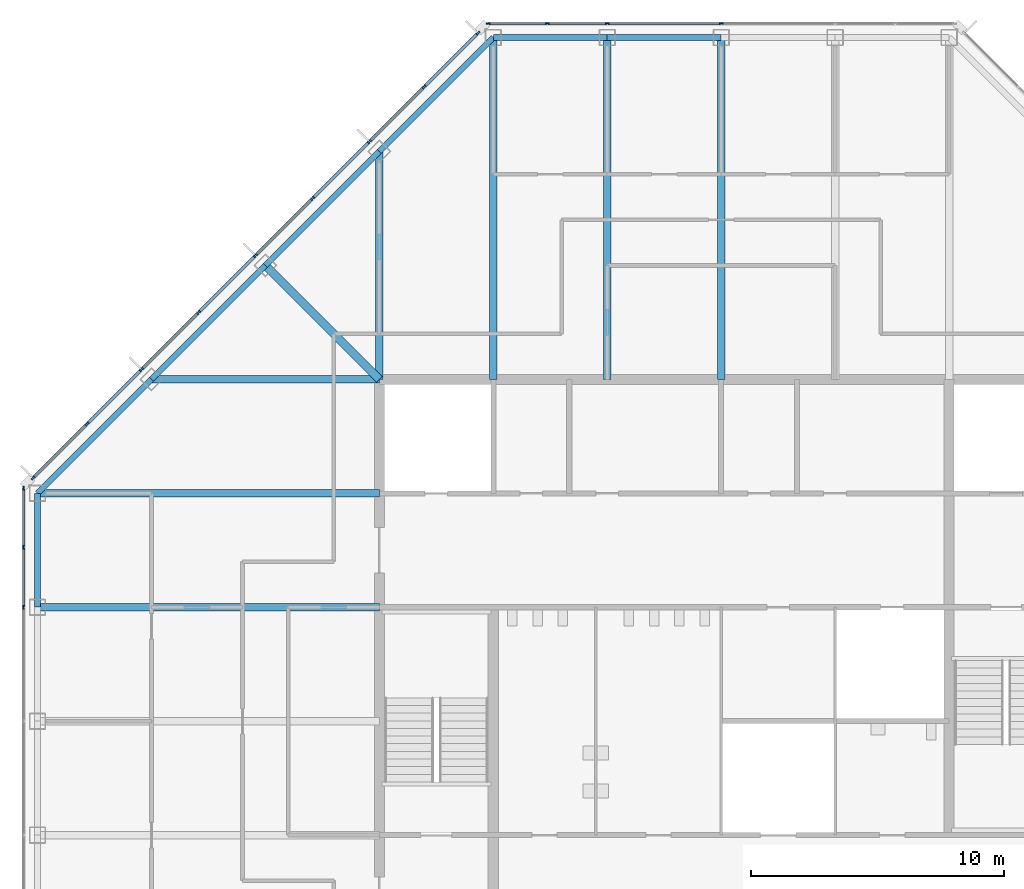
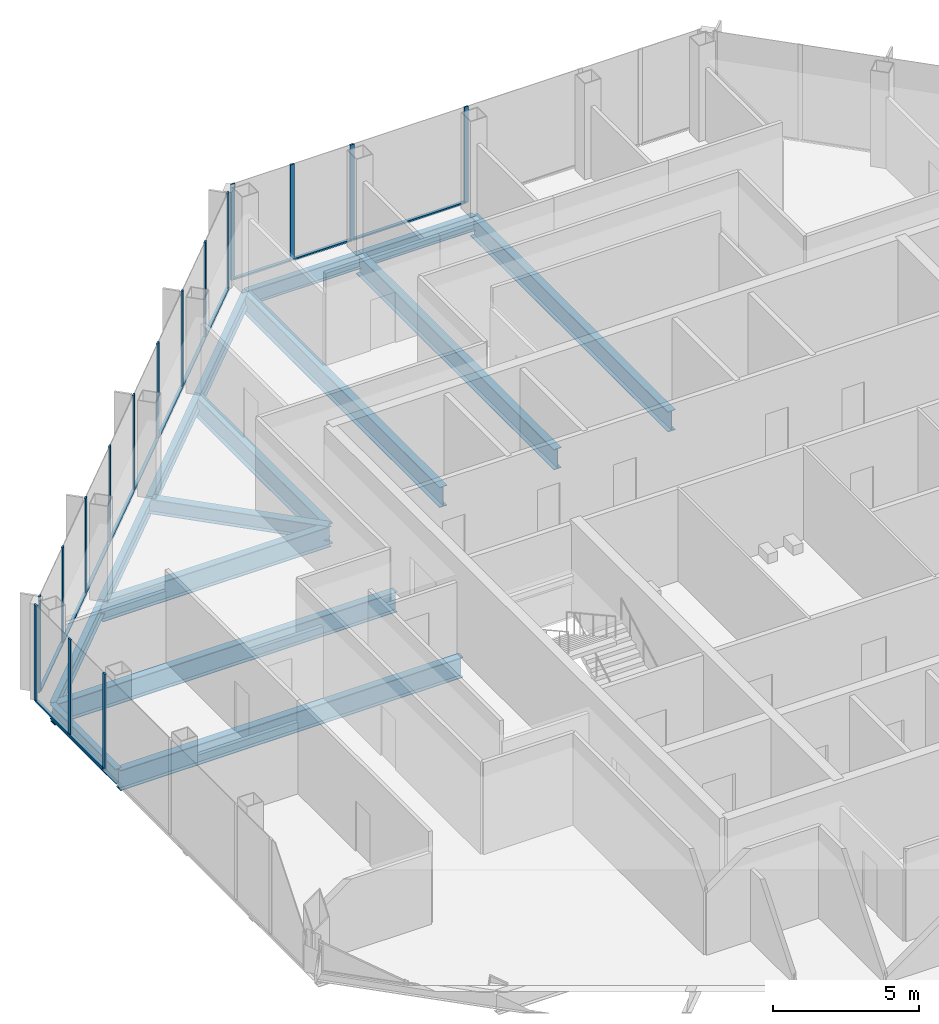
# One storey, part 6 of 14: 29 members, 15 beams, 3 elements without a shape of their own.
"""IFC4 building model written with IfcOpenShell, lengths in metres."""

from ifc_helpers import new_model, si_unit, direction, frame, origin, origin_2d, place, context, subcontext, project, spatial, rectangle, i_section, extrude, material, material_profile, profile_set, type_object, element, aggregate, save


model = new_model("IFC4")

# Units and contexts
model_context = context("Model", 3, precision=1e-05, world=origin(), true_north=direction((0.0, 1.0)))
body_context = subcontext(model_context, "Body", "Model", "MODEL_VIEW")
ifc_project = project(units=[si_unit("LENGTHUNIT", "METRE"), si_unit("AREAUNIT", "SQUARE_METRE"), si_unit("VOLUMEUNIT", "CUBIC_METRE"), si_unit("PLANEANGLEUNIT", "RADIAN"), si_unit("MASSUNIT", "GRAM", prefix="KILO")], contexts=[model_context])

# Site, building, storey
site_placement = place(None, origin())
site = spatial("IfcSite", under=ifc_project, at=site_placement, CompositionType="ELEMENT")
building_placement = place(site_placement, origin())
building = spatial("IfcBuilding", under=site, at=building_placement, Name="Corais Broadcast Tower", CompositionType="ELEMENT")
storey_placement = place(building_placement, frame((0.0, 0.0, 218.60009765625)))
storey = spatial("IfcBuildingStorey", under=building, at=storey_placement, Name="L50", CompositionType="ELEMENT", Elevation=218.60009765625)

# Beams
ifc_material_1 = material(Name="Steel ASTM A572 Grade 50", Category="steel")
ifc_material_profile_1 = material_profile(ifc_material_1, i_section(OverallWidth=0.323974609375, OverallDepth=0.611083984375, WebThickness=0.0126953125, FlangeThickness=0.01904296875, at=origin_2d()), Name="W610x155")
ifc_profile_set_1 = profile_set([ifc_material_profile_1], Name="Steel ASTM A572 Grade 50")
beam_type_1 = type_object("IfcBeamType", Name="Corner diagonal W610x155", PredefinedType="BEAM", material=ifc_profile_set_1)
beam_1_placement = place(storey_placement, frame((9.0, 45.0, -0.465576171875), z_axis=(0.707106781187, -0.707106781187, 0.0), x_axis=(0.707106781187, 0.707106781187, 0.0)))
element("IfcBeam", 1, at=beam_1_placement, inside=storey, type_object=beam_type_1, Name="B6 L/5 to K/6", PredefinedType="BEAM", context=body_context, shape_type="SweptSolid", body=[
    extrude(i_section(OverallWidth=0.323974609375, OverallDepth=0.611083984375, WebThickness=0.0126953125, FlangeThickness=0.01904296875, at=origin_2d()), origin(), (0.0, 0.0, 1.0), 6.364013671875),
])
ifc_material_2 = material(Name="Steel ASTM A572 Grade 50", Category="steel")
ifc_material_profile_2 = material_profile(ifc_material_2, i_section(OverallWidth=0.2939453125, OverallDepth=0.85107421875, WebThickness=0.01611328125, FlangeThickness=0.02685546875, at=origin_2d()), Name="W840x226")
ifc_profile_set_2 = profile_set([ifc_material_profile_2], Name="Steel ASTM A572 Grade 50")
beam_type_2 = type_object("IfcBeamType", Name="Floor beam W840x226", PredefinedType="BEAM", material=ifc_profile_set_2)
for number, where, z_axis, x_axis, name in (
    (2, (0.0, 31.5, -0.585693359375), (1.0, 0.0, 0.0), (0.0, 1.0, 0.0), "B1 H/3 to H/6"),
    (3, (0.0, 36.0, -0.585693359375), (1.0, 0.0, 0.0), (0.0, 1.0, 0.0), "B1 J/3 to J/6"),
):
    element("IfcBeam", number, at=place(storey_placement, frame(where, z_axis=z_axis, x_axis=x_axis)), inside=storey, type_object=beam_type_2, Name=name, PredefinedType="BEAM", context=body_context, shape_type="SweptSolid", body=[
        extrude(i_section(OverallWidth=0.2939453125, OverallDepth=0.85107421875, WebThickness=0.01611328125, FlangeThickness=0.02685546875, at=origin_2d()), origin(), (0.0, 0.0, 1.0), 13.5),
    ])
beam_2_placement = place(storey_placement, frame((13.5, 49.5, -0.585693359375), z_axis=(0.0, -1.0, 0.0), x_axis=(1.0, 0.0, 0.0)))
element("IfcBeam", 4, at=beam_2_placement, inside=storey, type_object=beam_type_2, Name="B1 M/6 to K/6", PredefinedType="BEAM", context=body_context, shape_type="SweptSolid", body=[
    extrude(i_section(OverallWidth=0.2939453125, OverallDepth=0.85107421875, WebThickness=0.01611328125, FlangeThickness=0.02685546875, at=origin_2d()), origin(), (0.0, 0.0, 1.0), 9.0),
])
for number, where, z_axis, x_axis, name in (
    (5, (18.0, 54.0, -0.585693359375), (0.0, -1.0, 0.0), (1.0, 0.0, 0.0), "B1 N/7 to K/7"),
    (6, (22.5, 54.0, -0.585693359375), (0.0, -1.0, 0.0), (1.0, 0.0, 0.0), "B1 N/8 to K/8"),
    (7, (27.0, 54.0, -0.585693359375), (0.0, -1.0, 0.0), (1.0, 0.0, 0.0), "B1 N/9 to K/9"),
):
    element("IfcBeam", number, at=place(storey_placement, frame(where, z_axis=z_axis, x_axis=x_axis)), inside=storey, type_object=beam_type_2, Name=name, PredefinedType="BEAM", context=body_context, shape_type="SweptSolid", body=[
        extrude(i_section(OverallWidth=0.2939453125, OverallDepth=0.85107421875, WebThickness=0.01611328125, FlangeThickness=0.02685546875, at=origin_2d()), origin(), (0.0, 0.0, 1.0), 13.5),
    ])
beam_3_placement = place(storey_placement, frame((4.5, 40.5, -0.585693359375), z_axis=(1.0, 0.0, 0.0), x_axis=(0.0, 1.0, 0.0)))
element("IfcBeam", 8, at=beam_3_placement, inside=storey, type_object=beam_type_2, Name="B1 K/4 to K/6", PredefinedType="BEAM", context=body_context, shape_type="SweptSolid", body=[
    extrude(i_section(OverallWidth=0.2939453125, OverallDepth=0.85107421875, WebThickness=0.01611328125, FlangeThickness=0.02685546875, at=origin_2d()), origin(), (0.0, 0.0, 1.0), 9.0),
])

# Curtain wall, members
ifc_material_3 = material(Name="Aluminium and glass", Category="aluminium")
curtain_wall_type = type_object("IfcCurtainWallType", Name="Unitised fritted curtain wall CW3", PredefinedType="NOTDEFINED", material=ifc_material_3)
curtain_wall_1_placement = place(storey_placement, origin())
curtain_wall_1 = element("IfcCurtainWall", 9, at=curtain_wall_1_placement, inside=storey, type_object=curtain_wall_type, Name="CW3 curtain wall L50 2", PredefinedType="NOTDEFINED")
ifc_material_4 = material(Name="Aluminium 6063-T6", Category="aluminium")
ifc_material_profile_3 = material_profile(ifc_material_4, rectangle(XDim=0.06494140625, YDim=0.159912109375, at=origin_2d()), Name="Mullion CW3 65x160")
ifc_profile_set_3 = profile_set([ifc_material_profile_3], Name="Aluminium 6063-T6")
member_type_1 = type_object("IfcMemberType", Name="Mullion CW3 65x160", PredefinedType="MULLION", material=ifc_profile_set_3)
member_1_placement = place(storey_placement, frame((-0.550048828125, 31.5, 0.0), z_axis=(0.0, 0.0, 1.0), x_axis=(-1.0, 0.0, 0.0)))
member_1 = element("IfcMember", 10, at=member_1_placement, type_object=member_type_1, Name="CW3 mullion 5", PredefinedType="MULLION", context=body_context, shape_type="SweptSolid", body=[
    extrude(rectangle(XDim=0.06494140625, YDim=0.159912109375, at=origin_2d()), origin(), (0.0, 0.0, 1.0), 4.0),
])
member_2_placement = place(storey_placement, frame((-0.550048828125, 33.864013671875, 0.0), z_axis=(0.0, 0.0, 1.0), x_axis=(-1.0, 0.0, 0.0)))
member_2 = element("IfcMember", 11, at=member_2_placement, type_object=member_type_1, Name="CW3 mullion 6", PredefinedType="MULLION", context=body_context, shape_type="SweptSolid", body=[
    extrude(rectangle(XDim=0.06494140625, YDim=0.159912109375, at=origin_2d()), origin(), (0.0, 0.0, 1.0), 4.0),
])
member_3_placement = place(storey_placement, frame((-0.550048828125, 36.1953125, 0.0), z_axis=(0.0, 0.0, 1.0), x_axis=(-1.0, 0.0, 0.0)))
member_3 = element("IfcMember", 12, at=member_3_placement, type_object=member_type_1, Name="CW3 mullion 7", PredefinedType="MULLION", context=body_context, shape_type="SweptSolid", body=[
    extrude(rectangle(XDim=0.06494140625, YDim=0.159912109375, at=origin_2d()), origin(), (0.0, 0.0, 1.0), 4.0),
])

curtain_wall_2_placement = place(storey_placement, origin())
curtain_wall_2 = element("IfcCurtainWall", 13, at=curtain_wall_2_placement, inside=storey, type_object=curtain_wall_type, Name="CW3 curtain wall L50 3", PredefinedType="NOTDEFINED")
member_4_placement = place(storey_placement, frame((-0.17333984375, 36.6044921875, 0.0), z_axis=(0.0, 0.0, 1.0), x_axis=(-0.707106781187, 0.707106781187, 0.0)))
member_4 = element("IfcMember", 14, at=member_4_placement, type_object=member_type_1, Name="CW3 mullion 1", PredefinedType="MULLION", context=body_context, shape_type="SweptSolid", body=[
    extrude(rectangle(XDim=0.06494140625, YDim=0.159912109375, at=origin_2d()), origin(), (0.0, 0.0, 1.0), 4.0),
])
member_5_placement = place(storey_placement, frame((1.957275390625, 38.735107421875, 0.0), z_axis=(0.0, 0.0, 1.0), x_axis=(-0.707106781187, 0.707106781187, 0.0)))
member_5 = element("IfcMember", 15, at=member_5_placement, type_object=member_type_1, Name="CW3 mullion 2", PredefinedType="MULLION", context=body_context, shape_type="SweptSolid", body=[
    extrude(rectangle(XDim=0.06494140625, YDim=0.159912109375, at=origin_2d()), origin(), (0.0, 0.0, 1.0), 4.0),
])
member_6_placement = place(storey_placement, frame((4.111083984375, 40.888916015625, 0.0), z_axis=(0.0, 0.0, 1.0), x_axis=(-0.707106781187, 0.707106781187, 0.0)))
member_6 = element("IfcMember", 16, at=member_6_placement, type_object=member_type_1, Name="CW3 mullion 3", PredefinedType="MULLION", context=body_context, shape_type="SweptSolid", body=[
    extrude(rectangle(XDim=0.06494140625, YDim=0.159912109375, at=origin_2d()), origin(), (0.0, 0.0, 1.0), 4.0),
])
member_7_placement = place(storey_placement, frame((6.361083984375, 43.138916015625, 0.0), z_axis=(0.0, 0.0, 1.0), x_axis=(-0.707106781187, 0.707106781187, 0.0)))
member_7 = element("IfcMember", 17, at=member_7_placement, type_object=member_type_1, Name="CW3 mullion 4", PredefinedType="MULLION", context=body_context, shape_type="SweptSolid", body=[
    extrude(rectangle(XDim=0.06494140625, YDim=0.159912109375, at=origin_2d()), origin(), (0.0, 0.0, 1.0), 4.0),
])
member_8_placement = place(storey_placement, frame((8.611083984375, 45.388916015625, 0.0), z_axis=(0.0, 0.0, 1.0), x_axis=(-0.707106781187, 0.707106781187, 0.0)))
member_8 = element("IfcMember", 18, at=member_8_placement, type_object=member_type_1, Name="CW3 mullion 5", PredefinedType="MULLION", context=body_context, shape_type="SweptSolid", body=[
    extrude(rectangle(XDim=0.06494140625, YDim=0.159912109375, at=origin_2d()), origin(), (0.0, 0.0, 1.0), 4.0),
])
member_9_placement = place(storey_placement, frame((10.861083984375, 47.638916015625, 0.0), z_axis=(0.0, 0.0, 1.0), x_axis=(-0.707106781187, 0.707106781187, 0.0)))
member_9 = element("IfcMember", 19, at=member_9_placement, type_object=member_type_1, Name="CW3 mullion 6", PredefinedType="MULLION", context=body_context, shape_type="SweptSolid", body=[
    extrude(rectangle(XDim=0.06494140625, YDim=0.159912109375, at=origin_2d()), origin(), (0.0, 0.0, 1.0), 4.0),
])
member_10_placement = place(storey_placement, frame((13.111083984375, 49.888916015625, 0.0), z_axis=(0.0, 0.0, 1.0), x_axis=(-0.707106781187, 0.707106781187, 0.0)))
member_10 = element("IfcMember", 20, at=member_10_placement, type_object=member_type_1, Name="CW3 mullion 7", PredefinedType="MULLION", context=body_context, shape_type="SweptSolid", body=[
    extrude(rectangle(XDim=0.06494140625, YDim=0.159912109375, at=origin_2d()), origin(), (0.0, 0.0, 1.0), 4.0),
])
member_11_placement = place(storey_placement, frame((15.264892578125, 52.042724609375, 0.0), z_axis=(0.0, 0.0, 1.0), x_axis=(-0.707106781187, 0.707106781187, 0.0)))
member_11 = element("IfcMember", 21, at=member_11_placement, type_object=member_type_1, Name="CW3 mullion 8", PredefinedType="MULLION", context=body_context, shape_type="SweptSolid", body=[
    extrude(rectangle(XDim=0.06494140625, YDim=0.159912109375, at=origin_2d()), origin(), (0.0, 0.0, 1.0), 4.0),
])
member_12_placement = place(storey_placement, frame((17.3955078125, 54.17333984375, 0.0), z_axis=(0.0, 0.0, 1.0), x_axis=(-0.707106781187, 0.707106781187, 0.0)))
member_12 = element("IfcMember", 22, at=member_12_placement, type_object=member_type_1, Name="CW3 mullion 9", PredefinedType="MULLION", context=body_context, shape_type="SweptSolid", body=[
    extrude(rectangle(XDim=0.06494140625, YDim=0.159912109375, at=origin_2d()), origin(), (0.0, 0.0, 1.0), 4.0),
])

curtain_wall_3_placement = place(storey_placement, origin())
curtain_wall_3 = element("IfcCurtainWall", 23, at=curtain_wall_3_placement, inside=storey, type_object=curtain_wall_type, Name="CW3 curtain wall L50 4", PredefinedType="NOTDEFINED")
member_13_placement = place(storey_placement, frame((17.8046875, 54.550048828125, 0.0), z_axis=(0.0, 0.0, 1.0), x_axis=(0.0, 1.0, 0.0)))
member_13 = element("IfcMember", 24, at=member_13_placement, type_object=member_type_1, Name="CW3 mullion 1", PredefinedType="MULLION", context=body_context, shape_type="SweptSolid", body=[
    extrude(rectangle(XDim=0.06494140625, YDim=0.159912109375, at=origin_2d()), origin(), (0.0, 0.0, 1.0), 4.0),
])
member_14_placement = place(storey_placement, frame((20.135986328125, 54.550048828125, 0.0), z_axis=(0.0, 0.0, 1.0), x_axis=(0.0, 1.0, 0.0)))
member_14 = element("IfcMember", 25, at=member_14_placement, type_object=member_type_1, Name="CW3 mullion 2", PredefinedType="MULLION", context=body_context, shape_type="SweptSolid", body=[
    extrude(rectangle(XDim=0.06494140625, YDim=0.159912109375, at=origin_2d()), origin(), (0.0, 0.0, 1.0), 4.0),
])
member_15_placement = place(storey_placement, frame((22.5, 54.550048828125, 0.0), z_axis=(0.0, 0.0, 1.0), x_axis=(0.0, 1.0, 0.0)))
member_15 = element("IfcMember", 26, at=member_15_placement, type_object=member_type_1, Name="CW3 mullion 3", PredefinedType="MULLION", context=body_context, shape_type="SweptSolid", body=[
    extrude(rectangle(XDim=0.06494140625, YDim=0.159912109375, at=origin_2d()), origin(), (0.0, 0.0, 1.0), 4.0),
])
member_16_placement = place(storey_placement, frame((27.0, 54.550048828125, 0.0), z_axis=(0.0, 0.0, 1.0), x_axis=(0.0, 1.0, 0.0)))
member_16 = element("IfcMember", 27, at=member_16_placement, type_object=member_type_1, Name="CW3 mullion 4", PredefinedType="MULLION", context=body_context, shape_type="SweptSolid", body=[
    extrude(rectangle(XDim=0.06494140625, YDim=0.159912109375, at=origin_2d()), origin(), (0.0, 0.0, 1.0), 4.0),
])

# Beams
ifc_material_5 = material(Name="Steel ASTM A572 Grade 50", Category="steel")
ifc_material_profile_4 = material_profile(ifc_material_5, i_section(OverallWidth=0.22998046875, OverallDepth=0.616943359375, WebThickness=0.01318359375, FlangeThickness=0.022216796875, at=origin_2d()), Name="W610x140")
ifc_profile_set_4 = profile_set([ifc_material_profile_4], Name="Steel ASTM A572 Grade 50")
beam_type_3 = type_object("IfcBeamType", Name="Spandrel W610x140", PredefinedType="BEAM", material=ifc_profile_set_4)
beam_4_placement = place(storey_placement, frame((0.0, 36.0, -0.468505859375), z_axis=(0.0, -1.0, 0.0), x_axis=(1.0, 0.0, 0.0)))
element("IfcBeam", 28, at=beam_4_placement, inside=storey, type_object=beam_type_3, Name="SB3 J/3 to H/3", PredefinedType="BEAM", context=body_context, shape_type="SweptSolid", body=[
    extrude(i_section(OverallWidth=0.22998046875, OverallDepth=0.616943359375, WebThickness=0.01318359375, FlangeThickness=0.022216796875, at=origin_2d()), origin(), (0.0, 0.0, 1.0), 4.5),
])
for number, where, z_axis, x_axis, name in (
    (29, (13.5, 49.5, -0.468505859375), (-0.707106781187, -0.707106781187, 0.0), (0.707106781187, -0.707106781187, 0.0), "SB3 M/6 to L/5"),
    (30, (18.0, 54.0, -0.468505859375), (-0.707106781187, -0.707106781187, 0.0), (0.707106781187, -0.707106781187, 0.0), "SB3 N/7 to M/6"),
):
    element("IfcBeam", number, at=place(storey_placement, frame(where, z_axis=z_axis, x_axis=x_axis)), inside=storey, type_object=beam_type_3, Name=name, PredefinedType="BEAM", context=body_context, shape_type="SweptSolid", body=[
        extrude(i_section(OverallWidth=0.22998046875, OverallDepth=0.616943359375, WebThickness=0.01318359375, FlangeThickness=0.022216796875, at=origin_2d()), origin(), (0.0, 0.0, 1.0), 6.364013671875),
    ])
for number, where, z_axis, x_axis, name in (
    (31, (22.5, 54.0, -0.468505859375), (-1.0, 0.0, 0.0), (0.0, -1.0, 0.0), "SB3 N/8 to N/7"),
    (32, (27.0, 54.0, -0.468505859375), (-1.0, 0.0, 0.0), (0.0, -1.0, 0.0), "SB3 N/9 to N/8"),
):
    element("IfcBeam", number, at=place(storey_placement, frame(where, z_axis=z_axis, x_axis=x_axis)), inside=storey, type_object=beam_type_3, Name=name, PredefinedType="BEAM", context=body_context, shape_type="SweptSolid", body=[
        extrude(i_section(OverallWidth=0.22998046875, OverallDepth=0.616943359375, WebThickness=0.01318359375, FlangeThickness=0.022216796875, at=origin_2d()), origin(), (0.0, 0.0, 1.0), 4.5),
    ])
for number, where, z_axis, x_axis, name in (
    (33, (4.5, 40.5, -0.468505859375), (-0.707106781187, -0.707106781187, 0.0), (0.707106781187, -0.707106781187, 0.0), "SB3 K/4 to J/3"),
    (34, (9.0, 45.0, -0.468505859375), (-0.707106781187, -0.707106781187, 0.0), (0.707106781187, -0.707106781187, 0.0), "SB3 L/5 to K/4"),
):
    element("IfcBeam", number, at=place(storey_placement, frame(where, z_axis=z_axis, x_axis=x_axis)), inside=storey, type_object=beam_type_3, Name=name, PredefinedType="BEAM", context=body_context, shape_type="SweptSolid", body=[
        extrude(i_section(OverallWidth=0.22998046875, OverallDepth=0.616943359375, WebThickness=0.01318359375, FlangeThickness=0.022216796875, at=origin_2d()), origin(), (0.0, 0.0, 1.0), 6.364013671875),
    ])

# Member
ifc_material_6 = material(Name="Aluminium 6063-T6", Category="aluminium")
ifc_material_profile_5 = material_profile(ifc_material_6, rectangle(XDim=0.1201171875, YDim=0.06494140625, at=origin_2d()), Name="Transom CW3 65x120")
ifc_profile_set_5 = profile_set([ifc_material_profile_5], Name="Aluminium 6063-T6")
member_type_2 = type_object("IfcMemberType", Name="Transom CW3 65x120", PredefinedType="USERDEFINED", material=ifc_profile_set_5)
member_17_placement = place(storey_placement, frame((-0.550048828125, 31.532470703125, 0.032470703125), z_axis=(0.0, 1.0, 0.0), x_axis=(-1.0, 0.0, 0.0)))
member_17 = element("IfcMember", 35, at=member_17_placement, type_object=member_type_2, Name="CW3 transom 5.1", ObjectType="TRANSOM", PredefinedType="USERDEFINED", context=body_context, shape_type="SweptSolid", body=[
    extrude(rectangle(XDim=0.1201171875, YDim=0.06494140625, at=origin_2d()), origin(), (0.0, 0.0, 1.0), 2.298828125),
])

member_18_placement = place(storey_placement, frame((-0.550048828125, 33.896484375, 0.032470703125), z_axis=(0.0, 1.0, 0.0), x_axis=(-1.0, 0.0, 0.0)))
member_18 = element("IfcMember", 36, at=member_18_placement, type_object=member_type_2, Name="CW3 transom 6.1", ObjectType="TRANSOM", PredefinedType="USERDEFINED", context=body_context, shape_type="SweptSolid", body=[
    extrude(rectangle(XDim=0.1201171875, YDim=0.06494140625, at=origin_2d()), origin(), (0.0, 0.0, 1.0), 2.266357421875),
])

aggregate(curtain_wall_1, [member_1, member_2, member_3, member_17, member_18])

member_19_placement = place(storey_placement, frame((-0.150390625, 36.62744140625, 0.032470703125), z_axis=(0.707106781187, 0.707106781187, 0.0), x_axis=(-0.707106781187, 0.707106781187, 0.0)))
member_19 = element("IfcMember", 37, at=member_19_placement, type_object=member_type_2, Name="CW3 transom 1.1", ObjectType="TRANSOM", PredefinedType="USERDEFINED", context=body_context, shape_type="SweptSolid", body=[
    extrude(rectangle(XDim=0.1201171875, YDim=0.06494140625, at=origin_2d()), origin(), (0.0, 0.0, 1.0), 2.9482421875),
])

member_20_placement = place(storey_placement, frame((1.980224609375, 38.758056640625, 0.032470703125), z_axis=(0.707106781187, 0.707106781187, 0.0), x_axis=(-0.707106781187, 0.707106781187, 0.0)))
member_20 = element("IfcMember", 38, at=member_20_placement, type_object=member_type_2, Name="CW3 transom 2.1", ObjectType="TRANSOM", PredefinedType="USERDEFINED", context=body_context, shape_type="SweptSolid", body=[
    extrude(rectangle(XDim=0.1201171875, YDim=0.06494140625, at=origin_2d()), origin(), (0.0, 0.0, 1.0), 2.98095703125),
])

member_21_placement = place(storey_placement, frame((4.134033203125, 40.911865234375, 0.032470703125), z_axis=(0.707106781187, 0.707106781187, 0.0), x_axis=(-0.707106781187, 0.707106781187, 0.0)))
member_21 = element("IfcMember", 39, at=member_21_placement, type_object=member_type_2, Name="CW3 transom 3.1", ObjectType="TRANSOM", PredefinedType="USERDEFINED", context=body_context, shape_type="SweptSolid", body=[
    extrude(rectangle(XDim=0.1201171875, YDim=0.06494140625, at=origin_2d()), origin(), (0.0, 0.0, 1.0), 3.1171875),
])

member_22_placement = place(storey_placement, frame((6.384033203125, 43.161865234375, 0.032470703125), z_axis=(0.707106781187, 0.707106781187, 0.0), x_axis=(-0.707106781187, 0.707106781187, 0.0)))
member_22 = element("IfcMember", 40, at=member_22_placement, type_object=member_type_2, Name="CW3 transom 4.1", ObjectType="TRANSOM", PredefinedType="USERDEFINED", context=body_context, shape_type="SweptSolid", body=[
    extrude(rectangle(XDim=0.1201171875, YDim=0.06494140625, at=origin_2d()), origin(), (0.0, 0.0, 1.0), 3.1171875),
])

member_23_placement = place(storey_placement, frame((8.634033203125, 45.411865234375, 0.032470703125), z_axis=(0.707106781187, 0.707106781187, 0.0), x_axis=(-0.707106781187, 0.707106781187, 0.0)))
member_23 = element("IfcMember", 41, at=member_23_placement, type_object=member_type_2, Name="CW3 transom 5.1", ObjectType="TRANSOM", PredefinedType="USERDEFINED", context=body_context, shape_type="SweptSolid", body=[
    extrude(rectangle(XDim=0.1201171875, YDim=0.06494140625, at=origin_2d()), origin(), (0.0, 0.0, 1.0), 3.1171875),
])

member_24_placement = place(storey_placement, frame((10.884033203125, 47.661865234375, 0.032470703125), z_axis=(0.707106781187, 0.707106781187, 0.0), x_axis=(-0.707106781187, 0.707106781187, 0.0)))
member_24 = element("IfcMember", 42, at=member_24_placement, type_object=member_type_2, Name="CW3 transom 6.1", ObjectType="TRANSOM", PredefinedType="USERDEFINED", context=body_context, shape_type="SweptSolid", body=[
    extrude(rectangle(XDim=0.1201171875, YDim=0.06494140625, at=origin_2d()), origin(), (0.0, 0.0, 1.0), 3.1171875),
])

member_25_placement = place(storey_placement, frame((13.134033203125, 49.911865234375, 0.032470703125), z_axis=(0.70714773134, 0.707065828661, 0.0), x_axis=(-0.707065828661, 0.70714773134, 0.0)))
member_25 = element("IfcMember", 43, at=member_25_placement, type_object=member_type_2, Name="CW3 transom 7.1", ObjectType="TRANSOM", PredefinedType="USERDEFINED", context=body_context, shape_type="SweptSolid", body=[
    extrude(rectangle(XDim=0.1201171875, YDim=0.06494140625, at=origin_2d()), origin(), (0.0, 0.0, 1.0), 2.98095703125),
])

member_26_placement = place(storey_placement, frame((15.287841796875, 52.065673828125, 0.032470703125), z_axis=(0.707106781187, 0.707106781187, 0.0), x_axis=(-0.707106781187, 0.707106781187, 0.0)))
member_26 = element("IfcMember", 44, at=member_26_placement, type_object=member_type_2, Name="CW3 transom 8.1", ObjectType="TRANSOM", PredefinedType="USERDEFINED", context=body_context, shape_type="SweptSolid", body=[
    extrude(rectangle(XDim=0.1201171875, YDim=0.06494140625, at=origin_2d()), origin(), (0.0, 0.0, 1.0), 2.9482421875),
])

aggregate(curtain_wall_2, [member_4, member_5, member_6, member_7, member_8, member_9, member_10, member_11, member_12, member_19, member_20, member_21, member_22, member_23, member_24, member_25, member_26])

member_27_placement = place(storey_placement, frame((17.837158203125, 54.550048828125, 0.032470703125), z_axis=(1.0, 0.0, 0.0), x_axis=(0.0, 1.0, 0.0)))
member_27 = element("IfcMember", 45, at=member_27_placement, type_object=member_type_2, Name="CW3 transom 1.1", ObjectType="TRANSOM", PredefinedType="USERDEFINED", context=body_context, shape_type="SweptSolid", body=[
    extrude(rectangle(XDim=0.1201171875, YDim=0.06494140625, at=origin_2d()), origin(), (0.0, 0.0, 1.0), 2.266357421875),
])

member_28_placement = place(storey_placement, frame((20.168701171875, 54.550048828125, 0.032470703125), z_axis=(1.0, 0.0, 0.0), x_axis=(0.0, 1.0, 0.0)))
member_28 = element("IfcMember", 46, at=member_28_placement, type_object=member_type_2, Name="CW3 transom 2.1", ObjectType="TRANSOM", PredefinedType="USERDEFINED", context=body_context, shape_type="SweptSolid", body=[
    extrude(rectangle(XDim=0.1201171875, YDim=0.06494140625, at=origin_2d()), origin(), (0.0, 0.0, 1.0), 2.298828125),
])

member_29_placement = place(storey_placement, frame((22.532470703125, 54.550048828125, 0.032470703125), z_axis=(1.0, 0.0, 0.0), x_axis=(0.0, 1.0, 0.0)))
member_29 = element("IfcMember", 47, at=member_29_placement, type_object=member_type_2, Name="CW3 transom 3.1", ObjectType="TRANSOM", PredefinedType="USERDEFINED", context=body_context, shape_type="SweptSolid", body=[
    extrude(rectangle(XDim=0.1201171875, YDim=0.06494140625, at=origin_2d()), origin(), (0.0, 0.0, 1.0), 4.43505859375),
])

aggregate(curtain_wall_3, [member_13, member_14, member_15, member_16, member_27, member_28, member_29])

save(model, "model.ifc")
